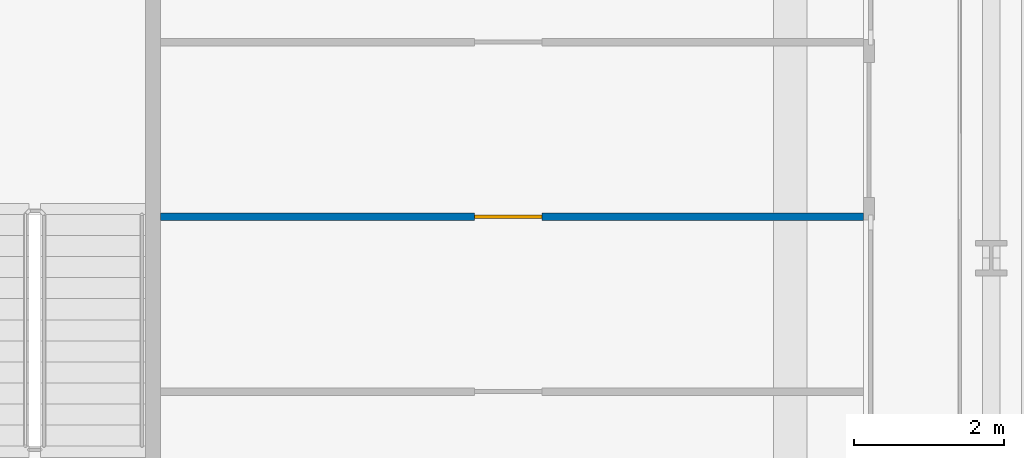
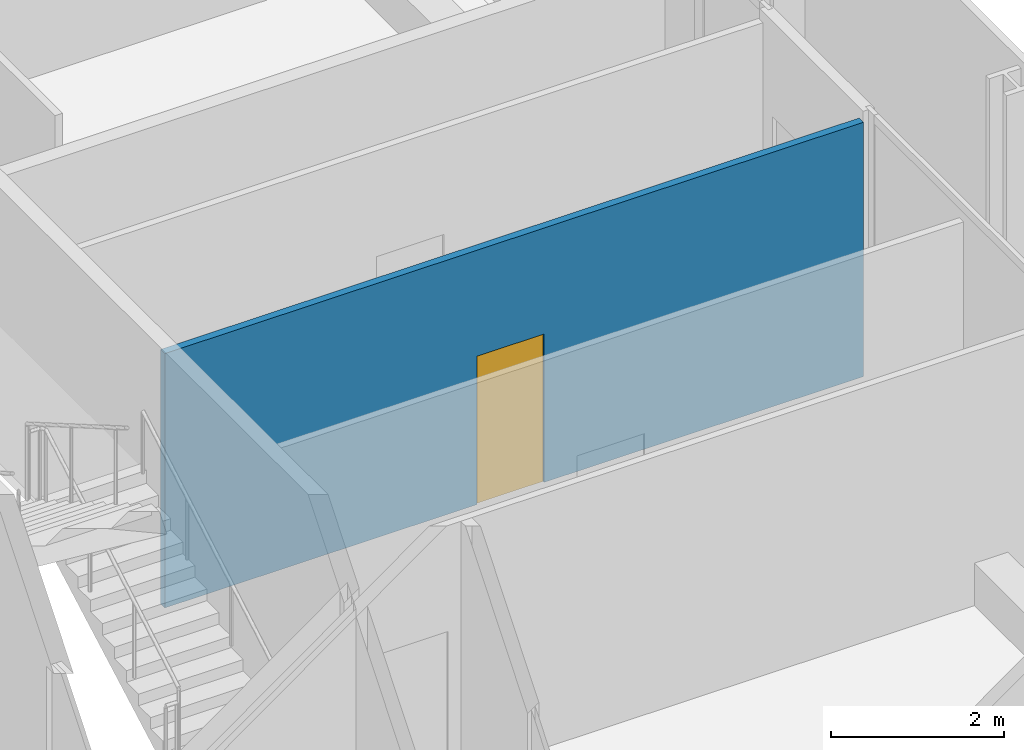
# One storey, part 19 of 29: 1 door, 1 wall, 1 opening.
"""IFC4 building model written with IfcOpenShell, lengths in metres."""

from ifc_helpers import new_model, si_unit, direction, frame, frame_2d, origin, place, context, subcontext, project, spatial, rectangle, extrude, source, transform, mapped, material, layer, layer_set, type_object, element, fill, save


model = new_model("IFC4")

# Units and contexts
model_context = context("Model", 3, precision=1e-05, world=origin(), true_north=direction((0.0, 1.0)))
body_context = subcontext(model_context, "Body", "Model", "MODEL_VIEW")
ifc_project = project(units=[si_unit("LENGTHUNIT", "METRE"), si_unit("AREAUNIT", "SQUARE_METRE"), si_unit("VOLUMEUNIT", "CUBIC_METRE"), si_unit("PLANEANGLEUNIT", "RADIAN"), si_unit("MASSUNIT", "GRAM", prefix="KILO")], contexts=[model_context])

# Site, building, storey
site_placement = place(None, origin())
site = spatial("IfcSite", under=ifc_project, at=site_placement, CompositionType="ELEMENT")
building_placement = place(site_placement, origin())
building = spatial("IfcBuilding", under=site, at=building_placement, Name="Kheshtan School and Residences Tower", CompositionType="ELEMENT")
storey_placement = place(building_placement, frame((0.0, 0.0, 69.5)))
storey = spatial("IfcBuildingStorey", under=building, at=storey_placement, Name="L16", CompositionType="ELEMENT", Elevation=69.5)

# Wall, opening, door
ifc_material_1 = material(Name="Gypsum board on steel studs", Category="steel")
ifc_layer = layer(ifc_material_1, 0.10009765625)
ifc_layer_set = layer_set([ifc_layer], Name="Gypsum partition 100")
wall_type = type_object("IfcWallType", Name="Gypsum partition 100", PredefinedType="PARTITIONING", material=ifc_layer_set)
wall_placement = place(storey_placement, frame((36.549072265625, 83.949951171875, 0.0), z_axis=(0.0, 0.0, 1.0), x_axis=(1.0, 0.0, 0.0)))
wall = element("IfcWall", 1, at=wall_placement, inside=storey, type_object=wall_type, Name="Partition L16-025", PredefinedType="PARTITIONING", context=body_context, shape_type="SweptSolid", body=[
    extrude(rectangle(XDim=9.350830078125, YDim=0.10009765625, at=frame_2d((4.67529296875, 0.0))), origin(), (0.0, 0.0, 1.0), 3.60009765625),
])
opening_placement = place(wall_placement, frame((4.176025390625, 0.0, 0.0)))
opening = element("IfcOpeningElement", 2, at=opening_placement, cuts=wall, Name="Opening D14-049", PredefinedType="OPENING", context=body_context, shape_type="SweptSolid", body=[
    extrude(rectangle(XDim=0.89990234375, YDim=2.10009765625, at=frame_2d((0.449951171875, 1.050048828125))), frame((0.0, 0.06005859375, 0.0), z_axis=(0.0, -1.0, 0.0), x_axis=(1.0, 0.0, 0.0)), (0.0, 0.0, 1.0), 0.1201171875),
])
ifc_material_2 = material(Name="Veneered timber door leaf", Category="wood")
door_type = type_object("IfcDoorType", Name="Door 900 x 2100", OperationType="SINGLE_SWING_LEFT", PredefinedType="DOOR", material=ifc_material_2)
shared_shape = source(origin(), body_context, "Body", "SweptSolid", [
    extrude(rectangle(XDim=0.89990234375, YDim=2.10009765625, at=frame_2d((0.449951171875, 1.050048828125))), frame((0.0, 0.02490234375, 0.0), z_axis=(0.0, -1.0, 0.0), x_axis=(1.0, 0.0, 0.0)), (0.0, 0.0, 1.0), 0.050048828125),
])
door_placement = place(opening_placement, origin())
door = element("IfcDoor", 3, at=door_placement, inside=storey, type_object=door_type, Name="Door D14-049", OperationType="SINGLE_SWING_RIGHT", OverallHeight=2.10009765625, OverallWidth=0.89990234375, PredefinedType="DOOR", context=body_context, shape_type="MappedRepresentation", body=[
    mapped(shared_shape, transform((0.0, 0.0, 0.0), x_axis=(1.0, 0.0, 0.0), y_axis=(0.0, 1.0, 0.0), z_axis=(0.0, 0.0, 1.0), scale=1.0)),
])
fill(opening, door)

save(model, "model.ifc")
